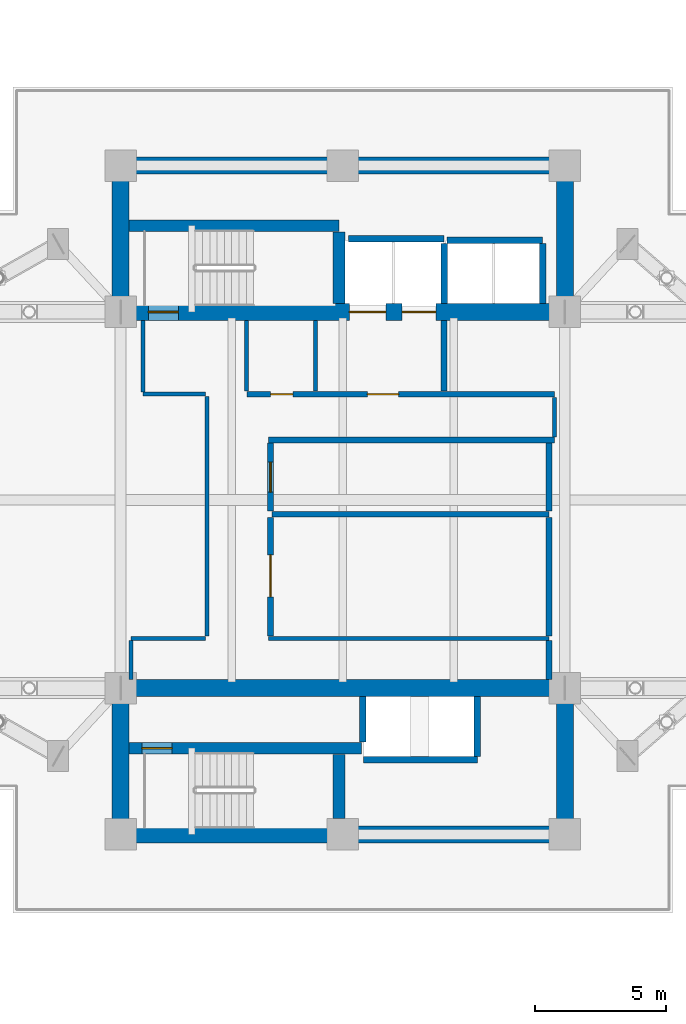
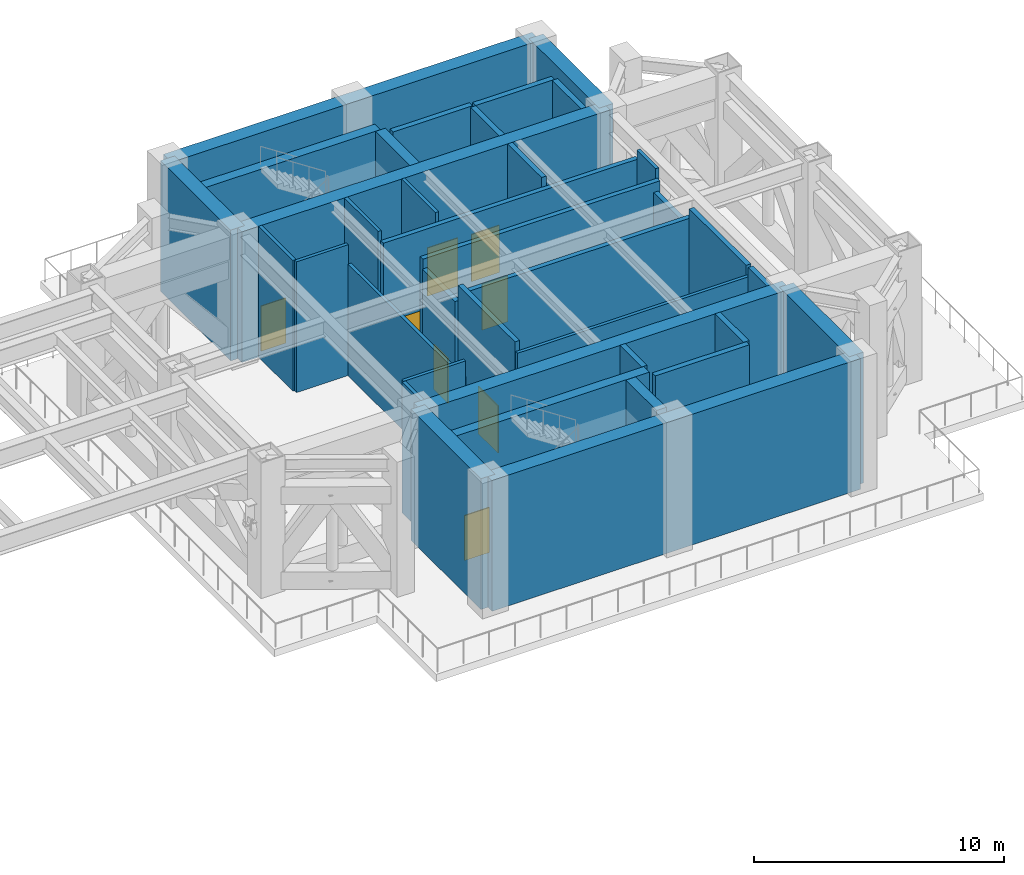
# One storey, part 13 of 21: 37 walls, 8 doors, 8 openings.
"""IFC4 building model written with IfcOpenShell, lengths in metres."""

from ifc_helpers import new_model, si_unit, direction, frame, frame_2d, origin, place, context, subcontext, project, spatial, rectangle, extrude, material, layer, layer_set, type_object, element, fill, save


model = new_model("IFC4")

# Units and contexts
model_context = context("Model", 3, precision=1e-05, world=origin(), true_north=direction((0.0, 1.0)))
body_context = subcontext(model_context, "Body", "Model", "MODEL_VIEW")
ifc_project = project(units=[si_unit("LENGTHUNIT", "METRE"), si_unit("AREAUNIT", "SQUARE_METRE"), si_unit("VOLUMEUNIT", "CUBIC_METRE"), si_unit("PLANEANGLEUNIT", "RADIAN"), si_unit("MASSUNIT", "GRAM", prefix="KILO")], contexts=[model_context])

# Site, building, storey
site_placement = place(None, origin())
site = spatial("IfcSite", under=ifc_project, at=site_placement, CompositionType="ELEMENT")
building_placement = place(site_placement, origin())
building = spatial("IfcBuilding", under=site, at=building_placement, Name="Mirazonda Arch Towers", CompositionType="ELEMENT")
storey_placement = place(building_placement, frame((0.0, 0.0, 81.800048828125)))
storey = spatial("IfcBuildingStorey", under=building, at=storey_placement, Name="L23", CompositionType="ELEMENT", Elevation=81.800048828125)

# Wall, opening, door
ifc_material_1 = material(Name="Concrete C50/60", Category="concrete")
ifc_layer_1 = layer(ifc_material_1, 0.449951171875, Name="WALL-CORE-450")
ifc_layer_set_1 = layer_set([ifc_layer_1], Name="Concrete C50/60")
wall_type_1 = type_object("IfcWallType", Name="WALL-CORE-450", PredefinedType="SHEAR", material=ifc_layer_set_1)
wall_1_placement = place(storey_placement, frame((68.320068359375, 18.5, 0.0), z_axis=(0.0, 0.0, 1.0), x_axis=(1.0, 0.0, 0.0)))
wall_1 = element("IfcWall", 1, at=wall_1_placement, inside=storey, type_object=wall_type_1, Name="L23 Stair Core Shear Wall 006", PredefinedType="SHEAR", context=body_context, shape_type="SweptSolid", body=[
    extrude(rectangle(XDim=8.89990234375, YDim=0.449951171875, at=frame_2d((4.449951171875, 0.0))), origin(), (0.0, 0.0, 1.0), 6.3798828125),
])
opening_1_placement = place(wall_1_placement, frame((0.4951171875, 0.0, 0.0)))
opening_1 = element("IfcOpeningElement", 2, at=opening_1_placement, cuts=wall_1, Name="Opening DR-135", PredefinedType="OPENING", context=body_context, shape_type="SweptSolid", body=[
    extrude(rectangle(XDim=1.14990234375, YDim=2.199951171875, at=frame_2d((0.574951171875, 1.10009765625))), frame((0.0, 0.23486328125, 0.0), z_axis=(0.0, -1.0, 0.0), x_axis=(1.0, 0.0, 0.0)), (0.0, 0.0, 1.0), 0.469970703125),
])
ifc_material_2 = material(Name="Architectural Brushed Steel S355", Category="steel")
door_type_1 = type_object("IfcDoorType", Name="DOOR-STAIR-FD90-1150", OperationType="NOTDEFINED", PredefinedType="DOOR", material=ifc_material_2)
door_1_placement = place(opening_1_placement, origin())
door_1 = element("IfcDoor", 3, at=door_1_placement, inside=storey, type_object=door_type_1, Name="L23 East Protected Stair South Door", OperationType="SINGLE_SWING_LEFT", OverallHeight=2.199951171875, OverallWidth=1.14990234375, PredefinedType="DOOR", context=body_context, shape_type="SweptSolid", body=[
    extrude(rectangle(XDim=1.14990234375, YDim=2.199951171875, at=frame_2d((0.574951171875, 1.10009765625))), frame((0.0, 0.02490234375, 0.0), z_axis=(0.0, -1.0, 0.0), x_axis=(1.0, 0.0, 0.0)), (0.0, 0.0, 1.0), 0.050048828125),
])
fill(opening_1, door_1)

# Walls
wall_2_placement = place(storey_placement, frame((68.320068359375, 38.5, 0.0), z_axis=(0.0, 0.0, 1.0), x_axis=(1.0, 0.0, 0.0)))
element("IfcWall", 4, at=wall_2_placement, inside=storey, type_object=wall_type_1, Name="L23 Stair Core Shear Wall 021", PredefinedType="SHEAR", context=body_context, shape_type="SweptSolid", body=[
    extrude(rectangle(XDim=8.0400390625, YDim=0.449951171875, at=frame_2d((4.02001953125, 0.0))), origin(), (0.0, 0.0, 1.0), 6.3798828125),
])
wall_3_placement = place(storey_placement, frame((76.360107421875, 15.81494140625, 0.0), z_axis=(0.0, 0.0, 1.0), x_axis=(0.0, 1.0, 0.0)))
element("IfcWall", 5, at=wall_3_placement, inside=storey, type_object=wall_type_1, Name="L23 Stair Core Shear Wall 052", PredefinedType="SHEAR", context=body_context, shape_type="SweptSolid", body=[
    extrude(rectangle(XDim=2.449951171875, YDim=0.449951171875, at=frame_2d((1.22509765625, 0.0))), origin(), (0.0, 0.0, 1.0), 6.3798828125),
])
wall_4_placement = place(storey_placement, frame((76.360107421875, 35.52001953125, 0.0), z_axis=(0.0, 0.0, 1.0), x_axis=(0.0, 1.0, 0.0)))
element("IfcWall", 6, at=wall_4_placement, inside=storey, type_object=wall_type_1, Name="L23 Stair Core Shear Wall 053", PredefinedType="SHEAR", context=body_context, shape_type="SweptSolid", body=[
    extrude(rectangle(XDim=2.744873046875, YDim=0.449951171875, at=frame_2d((1.37255859375, 0.0))), origin(), (0.0, 0.0, 1.0), 6.3798828125),
])
ifc_material_3 = material(Name="Concrete C60/75", Category="concrete")
ifc_layer_2 = layer(ifc_material_3, 0.64990234375, Name="WALL-CORE-650")
ifc_layer_set_2 = layer_set([ifc_layer_2], Name="Concrete C60/75")
wall_type_2 = type_object("IfcWallType", Name="WALL-CORE-650", PredefinedType="SHEAR", material=ifc_layer_set_2)
wall_5_placement = place(storey_placement, frame((68.0, 40.800048828125, 0.0), z_axis=(0.0, 0.0, 1.0), x_axis=(1.0, 0.0, 0.0)))
element("IfcWall", 7, at=wall_5_placement, inside=storey, type_object=wall_type_2, Name="L23 T2N-N Core Shear Wall", PredefinedType="SHEAR", context=body_context, shape_type="SweptSolid", body=[
    extrude(rectangle(XDim=17.0, YDim=0.64990234375, at=frame_2d((8.5, 0.0))), origin(), (0.0, 0.0, 1.0), 6.3798828125),
])
for number, where, z_axis, x_axis, name in (
    (8, (68.0, 35.199951171875, 0.0), (0.0, 0.0, 1.0), (0.0, 1.0, 0.0), "L23 T2N-W Core Shear Wall"),
    (9, (85.0, 35.199951171875, 0.0), (0.0, 0.0, 1.0), (0.0, 1.0, 0.0), "L23 T2N-E Core Shear Wall"),
):
    element("IfcWall", number, at=place(storey_placement, frame(where, z_axis=z_axis, x_axis=x_axis)), inside=storey, type_object=wall_type_2, Name=name, PredefinedType="SHEAR", context=body_context, shape_type="SweptSolid", body=[
        extrude(rectangle(XDim=5.60009765625, YDim=0.64990234375, at=frame_2d((2.800048828125, 0.0))), origin(), (0.0, 0.0, 1.0), 6.3798828125),
    ])

# Wall, openings, doors
wall_6_placement = place(storey_placement, frame((68.0, 35.199951171875, 0.0), z_axis=(0.0, 0.0, 1.0), x_axis=(1.0, 0.0, 0.0)))
wall_6 = element("IfcWall", 10, at=wall_6_placement, inside=storey, type_object=wall_type_2, Name="L23 T2N-S Core Shear Wall", PredefinedType="SHEAR", context=body_context, shape_type="SweptSolid", body=[
    extrude(rectangle(XDim=17.0, YDim=0.64990234375, at=frame_2d((8.5, 0.0))), origin(), (0.0, 0.0, 1.0), 6.3798828125),
])
opening_2_placement = place(wall_6_placement, frame((1.06005859375, 0.0, 0.0)))
opening_2 = element("IfcOpeningElement", 11, at=opening_2_placement, cuts=wall_6, Name="Opening DR-135", PredefinedType="OPENING", context=body_context, shape_type="SweptSolid", body=[
    extrude(rectangle(XDim=1.14990234375, YDim=2.199951171875, at=frame_2d((0.574951171875, 1.10009765625))), frame((0.0, 0.3349609375, 0.0), z_axis=(0.0, -1.0, 0.0), x_axis=(1.0, 0.0, 0.0)), (0.0, 0.0, 1.0), 0.669921875),
])
opening_3_placement = place(wall_6_placement, frame((8.75, 0.0, 0.0)))
opening_3 = element("IfcOpeningElement", 12, at=opening_3_placement, cuts=wall_6, Name="Opening LD-112", PredefinedType="OPENING", context=body_context, shape_type="SweptSolid", body=[
    extrude(rectangle(XDim=1.39990234375, YDim=2.35009765625, at=frame_2d((0.699951171875, 1.175048828125))), frame((0.0, 0.3349609375, 0.0), z_axis=(0.0, -1.0, 0.0), x_axis=(1.0, 0.0, 0.0)), (0.0, 0.0, 1.0), 0.669921875),
])
opening_4_placement = place(wall_6_placement, frame((10.77001953125, 0.0, 0.0)))
opening_4 = element("IfcOpeningElement", 13, at=opening_4_placement, cuts=wall_6, Name="Opening LD-111", PredefinedType="OPENING", context=body_context, shape_type="SweptSolid", body=[
    extrude(rectangle(XDim=1.300048828125, YDim=2.300048828125, at=frame_2d((0.64990234375, 1.14990234375))), frame((0.0, 0.3349609375, 0.0), z_axis=(0.0, -1.0, 0.0), x_axis=(1.0, 0.0, 0.0)), (0.0, 0.0, 1.0), 0.669921875),
])
door_type_2 = type_object("IfcDoorType", Name="DOOR-LIFT-FFL-1400", OperationType="NOTDEFINED", PredefinedType="DOOR", material=ifc_material_2)
door_2_placement = place(opening_3_placement, origin())
door_2 = element("IfcDoor", 14, at=door_2_placement, inside=storey, type_object=door_type_2, Name="L23 Lift Landing Sliding Door FFL-T2", OperationType="DOUBLE_DOOR_SLIDING", OverallHeight=2.35009765625, OverallWidth=1.39990234375, PredefinedType="DOOR", context=body_context, shape_type="SweptSolid", body=[
    extrude(rectangle(XDim=1.39990234375, YDim=2.35009765625, at=frame_2d((0.699951171875, 1.175048828125))), frame((0.0, 0.02490234375, 0.0), z_axis=(0.0, -1.0, 0.0), x_axis=(1.0, 0.0, 0.0)), (0.0, 0.0, 1.0), 0.050048828125),
])
fill(opening_3, door_2)
door_type_3 = type_object("IfcDoorType", Name="DOOR-LIFT-LAND-1300", OperationType="NOTDEFINED", PredefinedType="DOOR", material=ifc_material_2)
door_3_placement = place(opening_4_placement, origin())
door_3 = element("IfcDoor", 15, at=door_3_placement, inside=storey, type_object=door_type_3, Name="L23 Lift Landing Sliding Door SVL-T2", OperationType="DOUBLE_DOOR_SLIDING", OverallHeight=2.300048828125, OverallWidth=1.300048828125, PredefinedType="DOOR", context=body_context, shape_type="SweptSolid", body=[
    extrude(rectangle(XDim=1.300048828125, YDim=2.300048828125, at=frame_2d((0.64990234375, 1.14990234375))), frame((0.0, 0.02490234375, 0.0), z_axis=(0.0, -1.0, 0.0), x_axis=(1.0, 0.0, 0.0)), (0.0, 0.0, 1.0), 0.050048828125),
])
fill(opening_4, door_3)
door_4_placement = place(opening_2_placement, origin())
door_4 = element("IfcDoor", 16, at=door_4_placement, inside=storey, type_object=door_type_1, Name="L23 East Protected Stair North Door", OperationType="SINGLE_SWING_RIGHT", OverallHeight=2.199951171875, OverallWidth=1.14990234375, PredefinedType="DOOR", context=body_context, shape_type="SweptSolid", body=[
    extrude(rectangle(XDim=1.14990234375, YDim=2.199951171875, at=frame_2d((0.574951171875, 1.10009765625))), frame((0.0, 0.02490234375, 0.0), z_axis=(0.0, -1.0, 0.0), x_axis=(1.0, 0.0, 0.0)), (0.0, 0.0, 1.0), 0.050048828125),
])
fill(opening_2, door_4)

# Walls
wall_7_placement = place(storey_placement, frame((68.0, 15.199951171875, 0.0), z_axis=(0.0, 0.0, 1.0), x_axis=(1.0, 0.0, 0.0)))
element("IfcWall", 17, at=wall_7_placement, inside=storey, type_object=wall_type_2, Name="L23 T2S-S Core Shear Wall", PredefinedType="SHEAR", context=body_context, shape_type="SweptSolid", body=[
    extrude(rectangle(XDim=17.0, YDim=0.64990234375, at=frame_2d((8.5, 0.0))), origin(), (0.0, 0.0, 1.0), 6.3798828125),
])
for number, where, z_axis, x_axis, name in (
    (18, (68.0, 15.199951171875, 0.0), (0.0, 0.0, 1.0), (0.0, 1.0, 0.0), "L23 T2S-W Core Shear Wall"),
    (19, (85.0, 15.199951171875, 0.0), (0.0, 0.0, 1.0), (0.0, 1.0, 0.0), "L23 T2S-E Core Shear Wall"),
):
    element("IfcWall", number, at=place(storey_placement, frame(where, z_axis=z_axis, x_axis=x_axis)), inside=storey, type_object=wall_type_2, Name=name, PredefinedType="SHEAR", context=body_context, shape_type="SweptSolid", body=[
        extrude(rectangle(XDim=5.60009765625, YDim=0.64990234375, at=frame_2d((2.800048828125, 0.0))), origin(), (0.0, 0.0, 1.0), 6.3798828125),
    ])
wall_8_placement = place(storey_placement, frame((68.0, 20.800048828125, 0.0), z_axis=(0.0, 0.0, 1.0), x_axis=(1.0, 0.0, 0.0)))
element("IfcWall", 20, at=wall_8_placement, inside=storey, type_object=wall_type_2, Name="L23 T2S-N Core Shear Wall", PredefinedType="SHEAR", context=body_context, shape_type="SweptSolid", body=[
    extrude(rectangle(XDim=17.0, YDim=0.64990234375, at=frame_2d((8.5, 0.0))), origin(), (0.0, 0.0, 1.0), 6.3798828125),
])
ifc_material_4 = material(Name="Concrete C40/50", Category="concrete")
ifc_layer_3 = layer(ifc_material_4, 0.219970703125, Name="WALL-FFL-220")
ifc_layer_set_3 = layer_set([ifc_layer_3], Name="Concrete C40/50")
wall_type_3 = type_object("IfcWallType", Name="WALL-FFL-220", PredefinedType="SOLIDWALL", material=ifc_layer_set_3)
wall_9_placement = place(storey_placement, frame((73.800048828125, 27.449951171875, 0.0), z_axis=(0.0, 0.0, 1.0), x_axis=(1.0, 0.0, 0.0)))
element("IfcWall", 21, at=wall_9_placement, inside=storey, type_object=wall_type_3, Name="L23 Interior Partition 011", PredefinedType="SOLIDWALL", context=body_context, shape_type="SweptSolid", body=[
    extrude(rectangle(XDim=10.599853515625, YDim=0.219970703125, at=frame_2d((5.2998046875, 0.0))), origin(), (0.0, 0.0, 1.0), 5.908935546875),
])
wall_10_placement = place(storey_placement, frame((73.64990234375, 30.300048828125, 0.0), z_axis=(0.0, 0.0, 1.0), x_axis=(1.0, 0.0, 0.0)))
element("IfcWall", 22, at=wall_10_placement, inside=storey, type_object=wall_type_3, Name="L23 Interior Partition 013", PredefinedType="SOLIDWALL", context=body_context, shape_type="SweptSolid", body=[
    extrude(rectangle(XDim=10.9501953125, YDim=0.219970703125, at=frame_2d((5.47509765625, 0.0))), origin(), (0.0, 0.0, 1.0), 5.908935546875),
])

# Wall, openings, doors
wall_11_placement = place(storey_placement, frame((72.840087890625, 32.050048828125, 0.0), z_axis=(0.0, 0.0, 1.0), x_axis=(1.0, 0.0, 0.0)))
wall_11 = element("IfcWall", 23, at=wall_11_placement, inside=storey, type_object=wall_type_3, Name="L23 Interior Partition 015", PredefinedType="SOLIDWALL", context=body_context, shape_type="SweptSolid", body=[
    extrude(rectangle(XDim=11.760009765625, YDim=0.219970703125, at=frame_2d((5.8798828125, 0.0))), origin(), (0.0, 0.0, 1.0), 5.908935546875),
])
opening_5_placement = place(wall_11_placement, frame((4.60009765625, 0.0, 0.0)))
opening_5 = element("IfcOpeningElement", 24, at=opening_5_placement, cuts=wall_11, Name="Opening DR-117", PredefinedType="OPENING", context=body_context, shape_type="SweptSolid", body=[
    extrude(rectangle(XDim=1.199951171875, YDim=2.25, at=frame_2d((0.60009765625, 1.125))), frame((0.0, 0.119873046875, 0.0), z_axis=(0.0, -1.0, 0.0), x_axis=(1.0, 0.0, 0.0)), (0.0, 0.0, 1.0), 0.239990234375),
])
opening_6_placement = place(wall_11_placement, frame((0.89990234375, 0.0, 0.0)))
opening_6 = element("IfcOpeningElement", 25, at=opening_6_placement, cuts=wall_11, Name="Opening DR-128", PredefinedType="OPENING", context=body_context, shape_type="SweptSolid", body=[
    extrude(rectangle(XDim=0.85009765625, YDim=2.010009765625, at=frame_2d((0.425048828125, 1.0048828125))), frame((0.0, 0.119873046875, 0.0), z_axis=(0.0, -1.0, 0.0), x_axis=(1.0, 0.0, 0.0)), (0.0, 0.0, 1.0), 0.239990234375),
])
door_type_4 = type_object("IfcDoorType", Name="DOOR-FFL-FD90-1200", OperationType="NOTDEFINED", PredefinedType="DOOR", material=ifc_material_2)
door_5_placement = place(opening_5_placement, origin())
door_5 = element("IfcDoor", 26, at=door_5_placement, inside=storey, type_object=door_type_4, Name="L23 East Firefighting Lift Lobby Door", OperationType="SINGLE_SWING_LEFT", OverallHeight=2.25, OverallWidth=1.199951171875, PredefinedType="DOOR", context=body_context, shape_type="SweptSolid", body=[
    extrude(rectangle(XDim=1.199951171875, YDim=2.25, at=frame_2d((0.60009765625, 1.125))), frame((0.0, 0.02490234375, 0.0), z_axis=(0.0, -1.0, 0.0), x_axis=(1.0, 0.0, 0.0)), (0.0, 0.0, 1.0), 0.050048828125),
])
fill(opening_5, door_5)
door_type_5 = type_object("IfcDoorType", Name="DOOR-RISER-FD60-850", OperationType="NOTDEFINED", PredefinedType="DOOR", material=ifc_material_2)
door_6_placement = place(opening_6_placement, origin())
door_6 = element("IfcDoor", 27, at=door_6_placement, inside=storey, type_object=door_type_5, Name="L23 Tower 2 Core Service Room Door", OperationType="SINGLE_SWING_RIGHT", OverallHeight=2.010009765625, OverallWidth=0.85009765625, PredefinedType="DOOR", context=body_context, shape_type="SweptSolid", body=[
    extrude(rectangle(XDim=0.85009765625, YDim=2.010009765625, at=frame_2d((0.425048828125, 1.0048828125))), frame((0.0, 0.02490234375, 0.0), z_axis=(0.0, -1.0, 0.0), x_axis=(1.0, 0.0, 0.0)), (0.0, 0.0, 1.0), 0.050048828125),
])
fill(opening_6, door_6)

# Wall, opening, door
wall_12_placement = place(storey_placement, frame((73.7333984375, 22.784912109375, 0.0), z_axis=(0.0, 0.0, 1.0), x_axis=(0.0, 1.0, 0.0)))
wall_12 = element("IfcWall", 28, at=wall_12_placement, inside=storey, type_object=wall_type_3, Name="L23 Interior Partition 049", PredefinedType="SOLIDWALL", context=body_context, shape_type="SweptSolid", body=[
    extrude(rectangle(XDim=4.545166015625, YDim=0.219970703125, at=frame_2d((2.2724609375, 0.0))), origin(), (0.0, 0.0, 1.0), 6.3798828125),
])
opening_7_placement = place(wall_12_placement, frame((1.510009765625, 0.0, 0.0)))
opening_7 = element("IfcOpeningElement", 29, at=opening_7_placement, cuts=wall_12, Name="Opening DR-113", PredefinedType="OPENING", context=body_context, shape_type="SweptSolid", body=[
    extrude(rectangle(XDim=1.60009765625, YDim=2.300048828125, at=frame_2d((0.800048828125, 1.14990234375))), frame((0.0, 0.119873046875, 0.0), z_axis=(0.0, -1.0, 0.0), x_axis=(1.0, 0.0, 0.0)), (0.0, 0.0, 1.0), 0.239990234375),
])
door_type_6 = type_object("IfcDoorType", Name="DOOR-PLANT-FD60-1600", OperationType="NOTDEFINED", PredefinedType="DOOR", material=ifc_material_2)
door_7_placement = place(opening_7_placement, origin())
door_7 = element("IfcDoor", 30, at=door_7_placement, inside=storey, type_object=door_type_6, Name="L23 L23 Tower 2 Mechanical Fan & Heat-Exchanger Hall Door", OperationType="SINGLE_SWING_LEFT", OverallHeight=2.300048828125, OverallWidth=1.60009765625, PredefinedType="DOOR", context=body_context, shape_type="SweptSolid", body=[
    extrude(rectangle(XDim=1.60009765625, YDim=2.300048828125, at=frame_2d((0.800048828125, 1.14990234375))), frame((0.0, 0.02490234375, 0.0), z_axis=(0.0, -1.0, 0.0), x_axis=(1.0, 0.0, 0.0)), (0.0, 0.0, 1.0), 0.050048828125),
])
fill(opening_7, door_7)

wall_13_placement = place(storey_placement, frame((73.7333984375, 27.570068359375, 0.0), z_axis=(0.0, 0.0, 1.0), x_axis=(0.0, 1.0, 0.0)))
wall_13 = element("IfcWall", 31, at=wall_13_placement, inside=storey, type_object=wall_type_3, Name="L23 Interior Partition 050", PredefinedType="SOLIDWALL", context=body_context, shape_type="SweptSolid", body=[
    extrude(rectangle(XDim=2.60986328125, YDim=0.219970703125, at=frame_2d((1.304931640625, 0.0))), origin(), (0.0, 0.0, 1.0), 5.445068359375),
])
opening_8_placement = place(wall_13_placement, frame((0.72998046875, 0.0, 0.0)))
opening_8 = element("IfcOpeningElement", 32, at=opening_8_placement, cuts=wall_13, Name="Opening DR-135", PredefinedType="OPENING", context=body_context, shape_type="SweptSolid", body=[
    extrude(rectangle(XDim=1.14990234375, YDim=2.199951171875, at=frame_2d((0.574951171875, 1.10009765625))), frame((0.0, 0.119873046875, 0.0), z_axis=(0.0, -1.0, 0.0), x_axis=(1.0, 0.0, 0.0)), (0.0, 0.0, 1.0), 0.239990234375),
])
door_8_placement = place(opening_8_placement, origin())
door_8 = element("IfcDoor", 33, at=door_8_placement, inside=storey, type_object=door_type_1, Name="L23 L23 Tower 2 Pressurized Sky-Refuge Area Door", OperationType="SINGLE_SWING_RIGHT", OverallHeight=2.199951171875, OverallWidth=1.14990234375, PredefinedType="DOOR", context=body_context, shape_type="SweptSolid", body=[
    extrude(rectangle(XDim=1.14990234375, YDim=2.199951171875, at=frame_2d((0.574951171875, 1.10009765625))), frame((0.0, 0.02490234375, 0.0), z_axis=(0.0, -1.0, 0.0), x_axis=(1.0, 0.0, 0.0)), (0.0, 0.0, 1.0), 0.050048828125),
])
fill(opening_8, door_8)

# Walls
wall_14_placement = place(storey_placement, frame((80.3798828125, 32.169921875, 0.0), z_axis=(0.0, 0.0, 1.0), x_axis=(0.0, 1.0, 0.0)))
element("IfcWall", 34, at=wall_14_placement, inside=storey, type_object=wall_type_3, Name="L23 Interior Partition 055", PredefinedType="SOLIDWALL", context=body_context, shape_type="SweptSolid", body=[
    extrude(rectangle(XDim=2.7099609375, YDim=0.219970703125, at=frame_2d((1.35498046875, 0.0))), origin(), (0.0, 0.0, 1.0), 6.3798828125),
])
wall_15_placement = place(storey_placement, frame((84.39990234375, 21.1201171875, 0.0), z_axis=(0.0, 0.0, 1.0), x_axis=(0.0, 1.0, 0.0)))
element("IfcWall", 35, at=wall_15_placement, inside=storey, type_object=wall_type_3, Name="L23 Interior Partition 059", PredefinedType="SOLIDWALL", context=body_context, shape_type="SweptSolid", body=[
    extrude(rectangle(XDim=1.494873046875, YDim=0.219970703125, at=frame_2d((0.74755859375, 0.0))), origin(), (0.0, 0.0, 1.0), 6.3798828125),
])
wall_16_placement = place(storey_placement, frame((84.39990234375, 22.784912109375, 0.0), z_axis=(0.0, 0.0, 1.0), x_axis=(0.0, 1.0, 0.0)))
element("IfcWall", 36, at=wall_16_placement, inside=storey, type_object=wall_type_3, Name="L23 Interior Partition 060", PredefinedType="SOLIDWALL", context=body_context, shape_type="SweptSolid", body=[
    extrude(rectangle(XDim=4.545166015625, YDim=0.219970703125, at=frame_2d((2.2724609375, 0.0))), origin(), (0.0, 0.0, 1.0), 6.3798828125),
])
wall_17_placement = place(storey_placement, frame((84.39990234375, 27.570068359375, 0.0), z_axis=(0.0, 0.0, 1.0), x_axis=(0.0, 1.0, 0.0)))
element("IfcWall", 37, at=wall_17_placement, inside=storey, type_object=wall_type_3, Name="L23 Interior Partition 061", PredefinedType="SOLIDWALL", context=body_context, shape_type="SweptSolid", body=[
    extrude(rectangle(XDim=2.60986328125, YDim=0.219970703125, at=frame_2d((1.304931640625, 0.0))), origin(), (0.0, 0.0, 1.0), 5.445068359375),
])
ifc_material_5 = material(Name="Fire-Rated Gypsum Stud Partition")
ifc_layer_4 = layer(ifc_material_5, 0.14990234375, Name="WALL-PART-CORR-150")
ifc_layer_set_4 = layer_set([ifc_layer_4], Name="Fire-Rated Gypsum Stud Partition")
wall_type_4 = type_object("IfcWallType", Name="WALL-PART-CORR-150", PredefinedType="PARTITIONING", material=ifc_layer_set_4)
wall_18_placement = place(storey_placement, frame((68.39990234375, 22.699951171875, 0.0), z_axis=(0.0, 0.0, 1.0), x_axis=(1.0, 0.0, 0.0)))
element("IfcWall", 38, at=wall_18_placement, inside=storey, type_object=wall_type_4, Name="L23 Interior Partition 009", PredefinedType="PARTITIONING", context=body_context, shape_type="SweptSolid", body=[
    extrude(rectangle(XDim=2.85009765625, YDim=0.14990234375, at=frame_2d((1.425048828125, 0.0))), origin(), (0.0, 0.0, 1.0), 6.3798828125),
])
wall_19_placement = place(storey_placement, frame((73.64990234375, 22.699951171875, 0.0), z_axis=(0.0, 0.0, 1.0), x_axis=(1.0, 0.0, 0.0)))
element("IfcWall", 39, at=wall_19_placement, inside=storey, type_object=wall_type_4, Name="L23 Interior Partition 010", PredefinedType="PARTITIONING", context=body_context, shape_type="SweptSolid", body=[
    extrude(rectangle(XDim=10.75, YDim=0.14990234375, at=frame_2d((5.375, 0.0))), origin(), (0.0, 0.0, 1.0), 5.908935546875),
])
wall_20_placement = place(storey_placement, frame((68.85009765625, 32.050048828125, 0.0), z_axis=(0.0, 0.0, 1.0), x_axis=(1.0, 0.0, 0.0)))
element("IfcWall", 40, at=wall_20_placement, inside=storey, type_object=wall_type_4, Name="L23 Interior Partition 014", PredefinedType="PARTITIONING", context=body_context, shape_type="SweptSolid", body=[
    extrude(rectangle(XDim=2.39990234375, YDim=0.14990234375, at=frame_2d((1.199951171875, 0.0))), origin(), (0.0, 0.0, 1.0), 6.3798828125),
])
wall_21_placement = place(storey_placement, frame((68.39990234375, 21.1201171875, 0.0), z_axis=(0.0, 0.0, 1.0), x_axis=(0.0, 1.0, 0.0)))
element("IfcWall", 41, at=wall_21_placement, inside=storey, type_object=wall_type_4, Name="L23 Interior Partition 045", PredefinedType="PARTITIONING", context=body_context, shape_type="SweptSolid", body=[
    extrude(rectangle(XDim=1.494873046875, YDim=0.14990234375, at=frame_2d((0.74755859375, 0.0))), origin(), (0.0, 0.0, 1.0), 6.3798828125),
])
wall_22_placement = place(storey_placement, frame((68.85009765625, 32.135009765625, 0.0), z_axis=(0.0, 0.0, 1.0), x_axis=(0.0, 1.0, 0.0)))
element("IfcWall", 42, at=wall_22_placement, inside=storey, type_object=wall_type_4, Name="L23 Interior Partition 046", PredefinedType="PARTITIONING", context=body_context, shape_type="SweptSolid", body=[
    extrude(rectangle(XDim=2.744873046875, YDim=0.14990234375, at=frame_2d((1.37255859375, 0.0))), origin(), (0.0, 0.0, 1.0), 6.3798828125),
])
wall_23_placement = place(storey_placement, frame((71.300048828125, 22.784912109375, 0.0), z_axis=(0.0, 0.0, 1.0), x_axis=(0.0, 1.0, 0.0)))
element("IfcWall", 43, at=wall_23_placement, inside=storey, type_object=wall_type_4, Name="L23 Interior Partition 047", PredefinedType="PARTITIONING", context=body_context, shape_type="SweptSolid", body=[
    extrude(rectangle(XDim=9.18017578125, YDim=0.14990234375, at=frame_2d((4.590087890625, 0.0))), origin(), (0.0, 0.0, 1.0), 5.445068359375),
])
for number, where, z_axis, x_axis, name in (
    (44, (72.81005859375, 32.169921875, 0.0), (0.0, 0.0, 1.0), (0.0, 1.0, 0.0), "L23 Interior Partition 048"),
    (45, (75.449951171875, 32.169921875, 0.0), (0.0, 0.0, 1.0), (0.0, 1.0, 0.0), "L23 Interior Partition 051"),
):
    element("IfcWall", number, at=place(storey_placement, frame(where, z_axis=z_axis, x_axis=x_axis)), inside=storey, type_object=wall_type_4, Name=name, PredefinedType="PARTITIONING", context=body_context, shape_type="SweptSolid", body=[
        extrude(rectangle(XDim=2.7099609375, YDim=0.14990234375, at=frame_2d((1.35498046875, 0.0))), origin(), (0.0, 0.0, 1.0), 6.3798828125),
    ])
wall_24_placement = place(storey_placement, frame((84.60009765625, 30.419921875, 0.0), z_axis=(0.0, 0.0, 1.0), x_axis=(0.0, 1.0, 0.0)))
element("IfcWall", 46, at=wall_24_placement, inside=storey, type_object=wall_type_4, Name="L23 Interior Partition 062", PredefinedType="PARTITIONING", context=body_context, shape_type="SweptSolid", body=[
    extrude(rectangle(XDim=1.510009765625, YDim=0.14990234375, at=frame_2d((0.7548828125, 0.0))), origin(), (0.0, 0.0, 1.0), 6.3798828125),
])
ifc_layer_5 = layer(ifc_material_4, 0.25, Name="WALL-SHAFT-250")
ifc_layer_set_5 = layer_set([ifc_layer_5], Name="Concrete C40/50")
wall_type_5 = type_object("IfcWallType", Name="WALL-SHAFT-250", PredefinedType="SOLIDWALL", material=ifc_layer_set_5)
wall_25_placement = place(storey_placement, frame((77.300048828125, 18.050048828125, 0.0), z_axis=(0.0, 0.0, 1.0), x_axis=(1.0, 0.0, 0.0)))
element("IfcWall", 47, at=wall_25_placement, inside=storey, type_object=wall_type_5, Name="L23 Interior Partition 005", PredefinedType="SOLIDWALL", context=body_context, shape_type="SweptSolid", body=[
    extrude(rectangle(XDim=4.349853515625, YDim=0.25, at=frame_2d((2.1748046875, 0.0))), origin(), (0.0, 0.0, 1.0), 6.3798828125),
])
wall_26_placement = place(storey_placement, frame((80.5, 37.949951171875, 0.0), z_axis=(0.0, 0.0, 1.0), x_axis=(1.0, 0.0, 0.0)))
element("IfcWall", 48, at=wall_26_placement, inside=storey, type_object=wall_type_5, Name="L23 Interior Partition 019", PredefinedType="SOLIDWALL", context=body_context, shape_type="SweptSolid", body=[
    extrude(rectangle(XDim=3.64990234375, YDim=0.25, at=frame_2d((1.824951171875, 0.0))), origin(), (0.0, 0.0, 1.0), 6.3798828125),
])
wall_27_placement = place(storey_placement, frame((76.719970703125, 38.0, 0.0), z_axis=(0.0, 0.0, 1.0), x_axis=(1.0, 0.0, 0.0)))
element("IfcWall", 49, at=wall_27_placement, inside=storey, type_object=wall_type_5, Name="L23 Interior Partition 020", PredefinedType="SOLIDWALL", context=body_context, shape_type="SweptSolid", body=[
    extrude(rectangle(XDim=3.659912109375, YDim=0.25, at=frame_2d((1.830078125, 0.0))), origin(), (0.0, 0.0, 1.0), 6.3798828125),
])
wall_28_placement = place(storey_placement, frame((77.260009765625, 18.735107421875, 0.0), z_axis=(0.0, 0.0, 1.0), x_axis=(0.0, 1.0, 0.0)))
element("IfcWall", 50, at=wall_28_placement, inside=storey, type_object=wall_type_5, Name="L23 Interior Partition 054", PredefinedType="SOLIDWALL", context=body_context, shape_type="SweptSolid", body=[
    extrude(rectangle(XDim=1.744873046875, YDim=0.25, at=frame_2d((0.87255859375, 0.0))), origin(), (0.0, 0.0, 1.0), 6.3798828125),
])
for number, where, z_axis, x_axis, name in (
    (51, (80.3798828125, 35.52001953125, 0.0), (0.0, 0.0, 1.0), (0.0, 1.0, 0.0), "L23 Interior Partition 056"),
    (52, (81.64990234375, 18.18505859375, 0.0), (0.0, 0.0, 1.0), (0.0, 1.0, 0.0), "L23 Interior Partition 057"),
    (53, (84.14990234375, 35.52001953125, 0.0), (0.0, 0.0, 1.0), (0.0, 1.0, 0.0), "L23 Interior Partition 058"),
):
    element("IfcWall", number, at=place(storey_placement, frame(where, z_axis=z_axis, x_axis=x_axis)), inside=storey, type_object=wall_type_5, Name=name, PredefinedType="SOLIDWALL", context=body_context, shape_type="SweptSolid", body=[
        extrude(rectangle(XDim=2.294921875, YDim=0.25, at=frame_2d((1.1474609375, 0.0))), origin(), (0.0, 0.0, 1.0), 6.3798828125),
    ])

save(model, "model.ifc")
